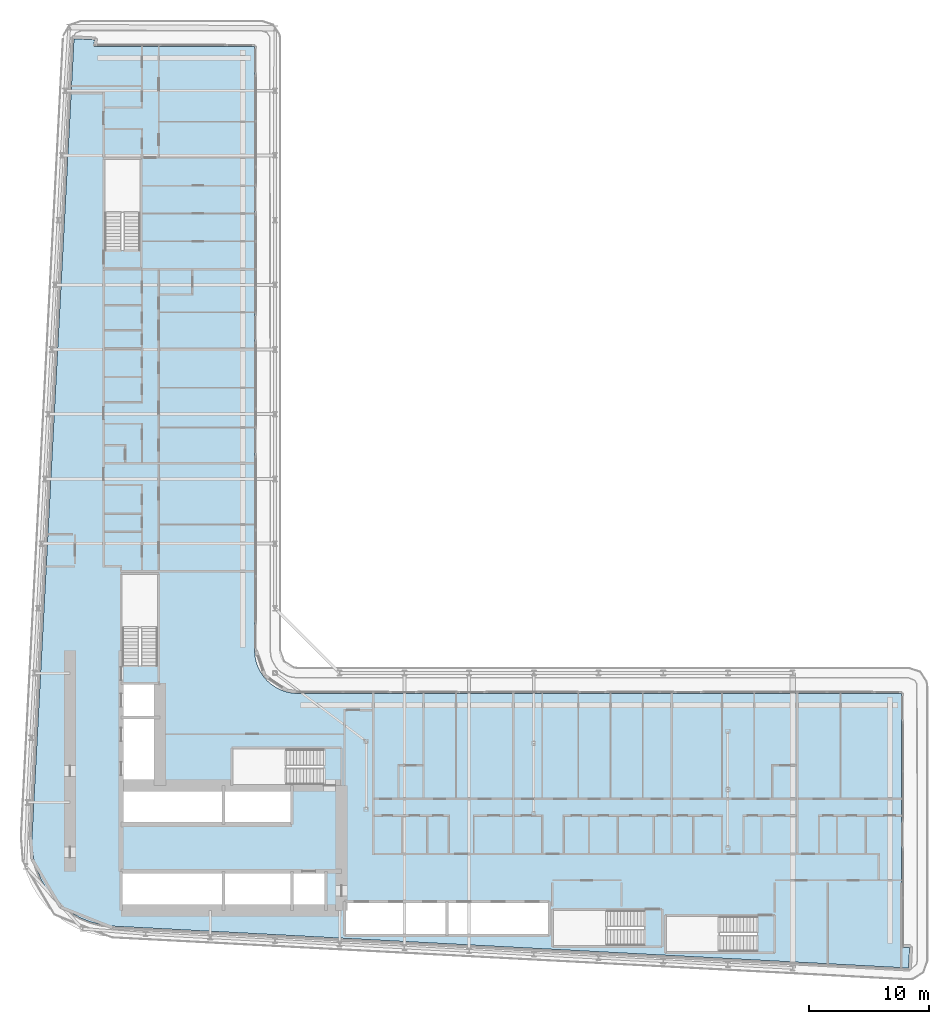
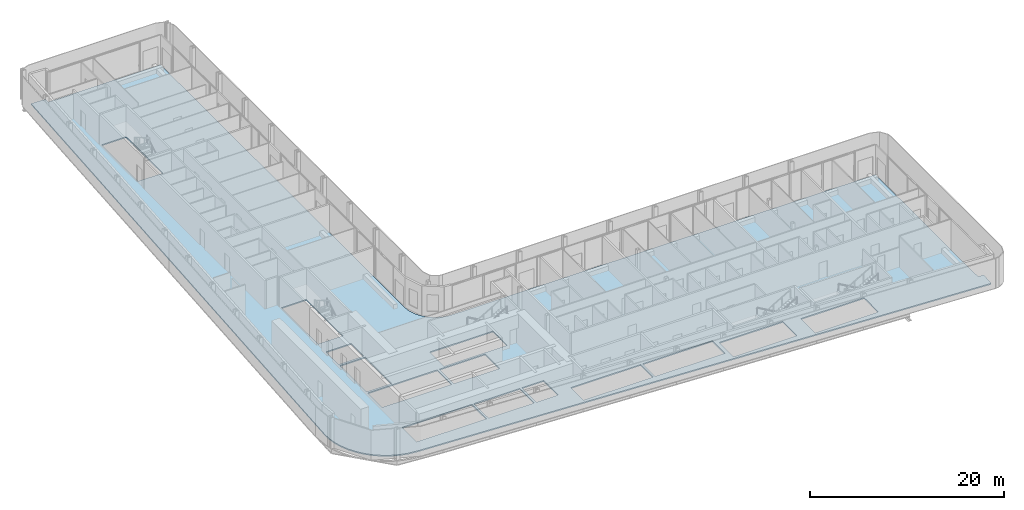
# One storey, part 11 of 28: 1 slab.
"""IFC4 building model written with IfcOpenShell, lengths in metres."""

from ifc_helpers import new_model, si_unit, direction, frame, origin, place, context, subcontext, project, spatial, polyline, outline, extrude, material, layer, layer_set, type_object, element, save


model = new_model("IFC4")

# Units and contexts
model_context = context("Model", 3, precision=1e-05, world=origin(), true_north=direction((0.0, 1.0)))
body_context = subcontext(model_context, "Body", "Model", "MODEL_VIEW")
ifc_project = project(units=[si_unit("LENGTHUNIT", "METRE"), si_unit("AREAUNIT", "SQUARE_METRE"), si_unit("VOLUMEUNIT", "CUBIC_METRE"), si_unit("PLANEANGLEUNIT", "RADIAN"), si_unit("MASSUNIT", "GRAM", prefix="KILO")], contexts=[model_context])

# Site, building, storey
site_placement = place(None, origin())
site = spatial("IfcSite", under=ifc_project, at=site_placement, CompositionType="ELEMENT")
building_placement = place(site_placement, origin())
building = spatial("IfcBuilding", under=site, at=building_placement, Name="Kheshtan School and Residences Tower", CompositionType="ELEMENT")
storey_placement = place(building_placement, frame((0.0, 0.0, 73.39990234375)))
storey = spatial("IfcBuildingStorey", under=building, at=storey_placement, Name="L17", CompositionType="ELEMENT", Elevation=73.39990234375)

# Slab
ifc_material = material(Name="Concrete C40/50", Category="concrete")
ifc_layer = layer(ifc_material, 0.14990234375)
ifc_layer_set = layer_set([ifc_layer], Name="Floor slab 150 Concrete C40/50")
slab_type = type_object("IfcSlabType", Name="Floor slab 150 Concrete C40/50", PredefinedType="FLOOR", material=ifc_layer_set)
slab_placement = place(storey_placement, frame((0.0, 0.0, -0.14990234375)))
element("IfcSlab", 1, at=slab_placement, inside=storey, type_object=slab_type, Name="Floor slab L17", PredefinedType="FLOOR", context=body_context, shape_type="SweptSolid", body=[
    extrude(outline(polyline([(27.718017578125, 29.200927734375), (27.466064453125, 30.093017578125), (27.466064453125, 30.093994140625), (27.3330078125, 31.013916015625), (27.320068359375, 31.965087890625), (27.320068359375, 31.970947265625), (30.822021484375, 98.5009765625), (30.822998046875, 98.508056640625), (30.825927734375, 98.531005859375), (30.825927734375, 98.531982421875), (30.826904296875, 98.531982421875), (31.422119140625, 98.5), (31.423095703125, 98.5), (31.423095703125, 98.4990234375), (31.423095703125, 98.4951171875), (31.423095703125, 98.493896484375), (31.424072265625, 98.493896484375), (31.424072265625, 98.492919921875), (31.425048828125, 98.492919921875), (31.426025390625, 98.492919921875), (31.426025390625, 98.493896484375), (31.427978515625, 98.49609375), (31.428955078125, 98.4970703125), (31.429931640625, 98.498046875), (31.430908203125, 98.498046875), (31.430908203125, 98.4990234375), (31.431884765625, 98.4990234375), (31.431884765625, 98.5), (31.43505859375, 98.5009765625), (31.43603515625, 98.501953125), (31.43896484375, 98.501953125), (31.43994140625, 98.501953125), (31.43994140625, 98.5029296875), (31.44091796875, 98.5029296875), (31.446044921875, 98.5029296875), (32.5009765625, 98.447021484375), (32.50390625, 98.447021484375), (32.5048828125, 98.447021484375), (32.5048828125, 98.446044921875), (32.506103515625, 98.446044921875), (32.510009765625, 98.446044921875), (32.510009765625, 98.445068359375), (32.510986328125, 98.445068359375), (32.510986328125, 98.444091796875), (32.511962890625, 98.444091796875), (32.511962890625, 98.443115234375), (32.512939453125, 98.443115234375), (32.513916015625, 98.443115234375), (32.513916015625, 98.44189453125), (32.514892578125, 98.44189453125), (32.51611328125, 98.44189453125), (32.51904296875, 98.43896484375), (32.51904296875, 98.43798828125), (32.51904296875, 98.43701171875), (32.52001953125, 98.43701171875), (32.52001953125, 98.43603515625), (32.52099609375, 98.43603515625), (32.52099609375, 98.43408203125), (32.52099609375, 98.43310546875), (32.52197265625, 98.43310546875), (32.52197265625, 98.431884765625), (32.52294921875, 98.431884765625), (32.52294921875, 98.430908203125), (32.52294921875, 98.428955078125), (32.52294921875, 98.427978515625), (32.52392578125, 98.427978515625), (32.52392578125, 98.427001953125), (32.52392578125, 98.422119140625), (32.4970703125, 97.9208984375), (32.4970703125, 97.91796875), (32.4970703125, 97.9169921875), (32.49609375, 97.9169921875), (32.49609375, 97.916015625), (32.49609375, 97.912109375), (32.4951171875, 97.910888671875), (32.4951171875, 97.909912109375), (32.493896484375, 97.909912109375), (32.493896484375, 97.908935546875), (32.492919921875, 97.908935546875), (32.492919921875, 97.907958984375), (32.489013671875, 97.904052734375), (32.488037109375, 97.904052734375), (32.488037109375, 97.903076171875), (32.488037109375, 97.902099609375), (32.488037109375, 97.90087890625), (32.489013671875, 97.90087890625), (32.489013671875, 97.89990234375), (32.489990234375, 97.89990234375), (45.85498046875, 97.89990234375), (45.864990234375, 97.89794921875), (45.865966796875, 97.89794921875), (45.868896484375, 97.89599609375), (45.8740234375, 97.89404296875), (45.8779296875, 97.89208984375), (45.881103515625, 97.889892578125), (45.881103515625, 97.888916015625), (45.882080078125, 97.888916015625), (45.882080078125, 97.887939453125), (45.883056640625, 97.887939453125), (45.884033203125, 97.885009765625), (45.885009765625, 97.885009765625), (45.885009765625, 97.884033203125), (45.887939453125, 97.883056640625), (45.887939453125, 97.882080078125), (45.888916015625, 97.882080078125), (45.888916015625, 97.881103515625), (45.889892578125, 97.881103515625), (45.89208984375, 97.8779296875), (45.89404296875, 97.8740234375), (45.89599609375, 97.868896484375), (45.89794921875, 97.865966796875), (45.89794921875, 97.864990234375), (45.89990234375, 97.85498046875), (45.89990234375, 47.429931640625), (45.927001953125, 47.030029296875), (46.01806640625, 46.570068359375), (46.01806640625, 46.569091796875), (46.169921875, 46.1201171875), (46.37890625, 45.697021484375), (46.638916015625, 45.30810546875), (46.949951171875, 44.950927734375), (46.950927734375, 44.949951171875), (47.30810546875, 44.638916015625), (47.697021484375, 44.37890625), (48.1201171875, 44.169921875), (48.569091796875, 44.01806640625), (48.570068359375, 44.01806640625), (49.030029296875, 43.927001953125), (49.429931640625, 43.89990234375), (99.85498046875, 43.89990234375), (99.864990234375, 43.89794921875), (99.865966796875, 43.89794921875), (99.868896484375, 43.89599609375), (99.8740234375, 43.89404296875), (99.8779296875, 43.89208984375), (99.881103515625, 43.889892578125), (99.881103515625, 43.888916015625), (99.882080078125, 43.888916015625), (99.882080078125, 43.887939453125), (99.883056640625, 43.887939453125), (99.884033203125, 43.885009765625), (99.885009765625, 43.885009765625), (99.885009765625, 43.884033203125), (99.887939453125, 43.883056640625), (99.887939453125, 43.882080078125), (99.888916015625, 43.882080078125), (99.888916015625, 43.881103515625), (99.889892578125, 43.881103515625), (99.89208984375, 43.8779296875), (99.89404296875, 43.8740234375), (99.89599609375, 43.868896484375), (99.89794921875, 43.865966796875), (99.89794921875, 43.864990234375), (99.89990234375, 43.85498046875), (99.89990234375, 22.708984375), (99.89990234375, 22.7080078125), (99.90087890625, 22.7080078125), (99.90087890625, 22.70703125), (99.902099609375, 22.70703125), (99.903076171875, 22.70703125), (99.903076171875, 22.7080078125), (99.905029296875, 22.7099609375), (99.906982421875, 22.7119140625), (99.907958984375, 22.7119140625), (99.907958984375, 22.712890625), (99.908935546875, 22.712890625), (99.908935546875, 22.714111328125), (99.909912109375, 22.714111328125), (99.912109375, 22.715087890625), (99.9130859375, 22.716064453125), (99.916015625, 22.716064453125), (99.9169921875, 22.716064453125), (99.9169921875, 22.717041015625), (99.91796875, 22.717041015625), (99.923095703125, 22.717041015625), (100.5380859375, 22.68408203125), (100.541015625, 22.68408203125), (100.5419921875, 22.68408203125), (100.5419921875, 22.68310546875), (100.54296875, 22.68310546875), (100.547119140625, 22.68310546875), (100.547119140625, 22.681884765625), (100.548095703125, 22.681884765625), (100.548095703125, 22.680908203125), (100.549072265625, 22.680908203125), (100.549072265625, 22.679931640625), (100.550048828125, 22.679931640625), (100.551025390625, 22.679931640625), (100.551025390625, 22.678955078125), (100.552001953125, 22.678955078125), (100.552978515625, 22.678955078125), (100.552978515625, 22.677978515625), (100.554931640625, 22.676025390625), (100.555908203125, 22.676025390625), (100.555908203125, 22.675048828125), (100.555908203125, 22.674072265625), (100.556884765625, 22.674072265625), (100.556884765625, 22.673095703125), (100.55810546875, 22.673095703125), (100.55810546875, 22.6708984375), (100.55810546875, 22.669921875), (100.55908203125, 22.669921875), (100.55908203125, 22.6689453125), (100.56005859375, 22.6689453125), (100.56005859375, 22.66796875), (100.56005859375, 22.666015625), (100.56005859375, 22.6650390625), (100.56103515625, 22.6650390625), (100.56103515625, 22.6640625), (100.56103515625, 22.658935546875), (100.5048828125, 21.60205078125), (100.5048828125, 21.59912109375), (100.5048828125, 21.597900390625), (100.50390625, 21.597900390625), (100.50390625, 21.596923828125), (100.50390625, 21.593017578125), (100.5029296875, 21.592041015625), (100.5029296875, 21.591064453125), (100.501953125, 21.591064453125), (100.501953125, 21.590087890625), (100.5009765625, 21.590087890625), (100.5009765625, 21.589111328125), (100.5, 21.587890625), (100.498046875, 21.5859375), (100.4970703125, 21.5849609375), (100.49609375, 21.5849609375), (100.49609375, 21.583984375), (100.49609375, 21.5830078125), (100.49609375, 21.58203125), (100.4970703125, 21.58203125), (100.4970703125, 21.5810546875), (100.498046875, 21.5810546875), (100.4990234375, 21.5810546875), (100.5, 21.5810546875), (100.5, 21.580078125), (100.468017578125, 20.985107421875), (100.468017578125, 20.98388671875), (100.467041015625, 20.98388671875), (100.443115234375, 20.98291015625), (100.43798828125, 20.98291015625), (34.056884765625, 24.47802734375), (33.114990234375, 24.590087890625), (32.215087890625, 24.819091796875), (32.214111328125, 24.819091796875), (31.35205078125, 25.1630859375), (30.541015625, 25.616943359375), (29.799072265625, 26.1708984375), (29.799072265625, 26.172119140625), (29.798095703125, 26.172119140625), (29.134033203125, 26.820068359375), (29.134033203125, 26.821044921875), (29.133056640625, 26.821044921875), (28.55908203125, 27.550048828125), (28.0849609375, 28.345947265625), (27.718017578125, 29.200927734375)]), holes=[polyline([(99.89990234375, 21.5869140625), (99.89990234375, 21.5830078125), (99.89990234375, 21.58203125), (99.90087890625, 21.58203125), (99.90087890625, 21.5810546875), (99.902099609375, 21.5810546875), (99.906005859375, 21.5810546875), (99.906982421875, 21.5810546875), (99.906982421875, 21.58203125), (99.907958984375, 21.58203125), (99.907958984375, 21.5830078125), (99.907958984375, 21.583984375), (99.906982421875, 21.583984375), (99.905029296875, 21.5859375), (99.904052734375, 21.5869140625), (99.903076171875, 21.587890625), (99.903076171875, 21.589111328125), (99.902099609375, 21.589111328125), (99.90087890625, 21.589111328125), (99.90087890625, 21.587890625), (99.89990234375, 21.587890625), (99.89990234375, 21.5869140625)]), polyline([(31.423095703125, 97.906005859375), (31.423095703125, 97.902099609375), (31.423095703125, 97.90087890625), (31.424072265625, 97.90087890625), (31.424072265625, 97.89990234375), (31.425048828125, 97.89990234375), (31.428955078125, 97.89990234375), (31.429931640625, 97.89990234375), (31.429931640625, 97.90087890625), (31.430908203125, 97.90087890625), (31.430908203125, 97.902099609375), (31.430908203125, 97.903076171875), (31.429931640625, 97.903076171875), (31.428955078125, 97.904052734375), (31.427978515625, 97.905029296875), (31.427001953125, 97.906005859375), (31.426025390625, 97.906982421875), (31.426025390625, 97.907958984375), (31.425048828125, 97.907958984375), (31.424072265625, 97.907958984375), (31.424072265625, 97.906982421875), (31.423095703125, 97.906982421875), (31.423095703125, 97.906005859375)]), polyline([(34.875, 28.925048828125), (34.875, 25.925048828125), (43.175048828125, 25.925048828125), (43.175048828125, 28.925048828125), (34.875, 28.925048828125)]), polyline([(43.425048828125, 25.925048828125), (48.875, 25.925048828125), (48.875, 28.925048828125), (43.425048828125, 28.925048828125), (43.425048828125, 25.925048828125)]), polyline([(43.175048828125, 36.074951171875), (34.875, 36.074951171875), (34.875, 33.074951171875), (43.175048828125, 33.074951171875), (43.175048828125, 36.074951171875)]), polyline([(34.875, 41.77490234375), (34.875, 36.324951171875), (37.875, 36.324951171875), (37.875, 41.77490234375), (34.875, 41.77490234375)]), polyline([(34.875, 44.625), (34.875, 42.02490234375), (37.875, 42.02490234375), (37.875, 44.625), (34.875, 44.625)]), polyline([(37.800048828125, 46.25), (37.800048828125, 53.81005859375), (34.85009765625, 53.81005859375), (34.85009765625, 46.260009765625), (36.25, 46.260009765625), (36.25, 46.25), (37.800048828125, 46.25)]), polyline([(33.39990234375, 88.4599609375), (33.39990234375, 80.909912109375), (34.800048828125, 80.909912109375), (34.800048828125, 80.89990234375), (36.35009765625, 80.89990234375), (36.35009765625, 88.4599609375), (33.39990234375, 88.4599609375)]), polyline([(87.81005859375, 22.35009765625), (87.81005859375, 23.75), (87.820068359375, 23.75), (87.820068359375, 25.300048828125), (80.260009765625, 25.300048828125), (80.260009765625, 22.35009765625), (87.81005859375, 22.35009765625)]), polyline([(70.85009765625, 22.85009765625), (78.39990234375, 22.85009765625), (78.39990234375, 24.25), (78.409912109375, 24.25), (78.409912109375, 25.800048828125), (70.85009765625, 25.800048828125), (70.85009765625, 22.85009765625)]), polyline([(61.824951171875, 26.425048828125), (53.52490234375, 26.425048828125), (53.52490234375, 23.824951171875), (61.824951171875, 23.824951171875), (61.824951171875, 26.425048828125)]), polyline([(62.074951171875, 23.824951171875), (70.375, 23.824951171875), (70.375, 26.425048828125), (62.074951171875, 26.425048828125), (62.074951171875, 23.824951171875)]), polyline([(49.125, 28.925048828125), (49.125, 25.925048828125), (51.72509765625, 25.925048828125), (51.72509765625, 28.925048828125), (49.125, 28.925048828125)]), polyline([(43.425048828125, 33.074951171875), (48.875, 33.074951171875), (48.875, 36.074951171875), (43.425048828125, 36.074951171875), (43.425048828125, 33.074951171875)]), polyline([(51.64990234375, 39.25), (44.090087890625, 39.25), (44.090087890625, 36.300048828125), (51.639892578125, 36.300048828125), (51.639892578125, 37.699951171875), (51.64990234375, 37.699951171875), (51.64990234375, 39.25)])]), origin(), (0.0, 0.0, 1.0), 0.14990234375),
])

save(model, "model.ifc")
